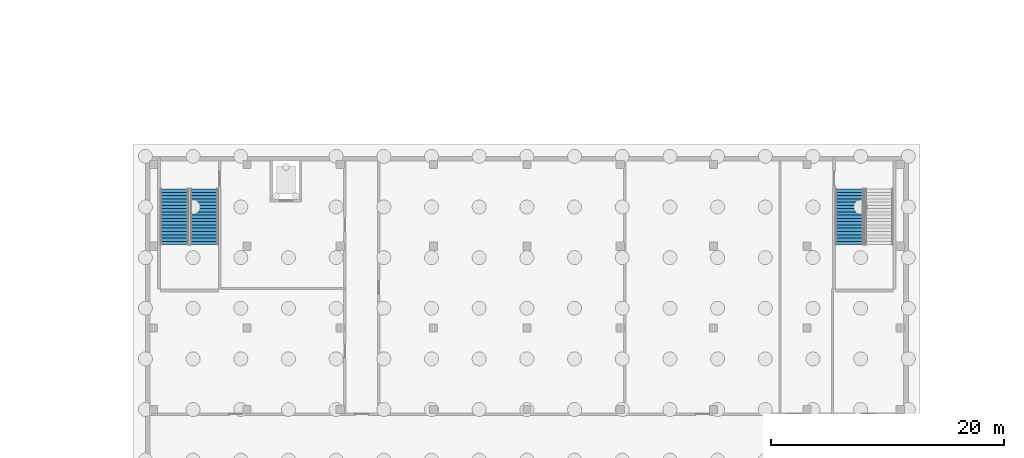
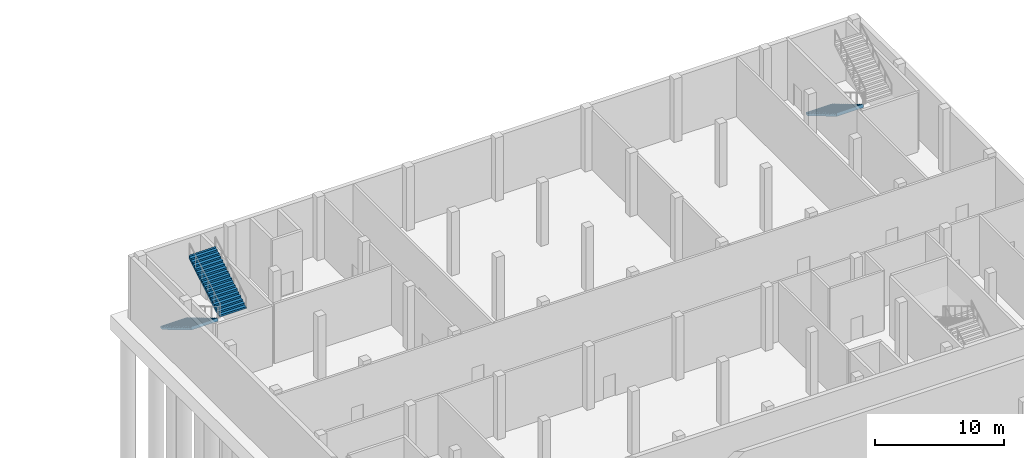
# One storey, part 27 of 45: 3 stair flights, 2 elements without a shape of their own.
"""IFC4 building model written with IfcOpenShell, lengths in metres."""

from ifc_helpers import new_model, si_unit, direction, frame, origin, place, context, subcontext, project, spatial, polyline, outline, extrude, material, type_object, element, aggregate, save


model = new_model("IFC4")

# Units and contexts
model_context = context("Model", 3, precision=1e-05, world=origin(), true_north=direction((0.0, 1.0)))
body_context = subcontext(model_context, "Body", "Model", "MODEL_VIEW")
ifc_project = project(units=[si_unit("LENGTHUNIT", "METRE"), si_unit("AREAUNIT", "SQUARE_METRE"), si_unit("VOLUMEUNIT", "CUBIC_METRE"), si_unit("PLANEANGLEUNIT", "RADIAN"), si_unit("MASSUNIT", "GRAM", prefix="KILO")], contexts=[model_context])

# Site, building, storey
site_placement = place(None, origin())
site = spatial("IfcSite", under=ifc_project, at=site_placement, CompositionType="ELEMENT")
building_placement = place(site_placement, origin())
building = spatial("IfcBuilding", under=site, at=building_placement, Name="Tamorin Gate", CompositionType="ELEMENT")
storey_placement = place(building_placement, frame((0.0, 0.0, -6.0)))
storey = spatial("IfcBuildingStorey", under=building, at=storey_placement, Name="B1", CompositionType="ELEMENT", Elevation=-6.0)

# Stair, stair flights
ifc_material = material(Name="Concrete C40/50", Category="concrete")
stair_type = type_object("IfcStairType", Name="Museum exit stair 2400 C40/50", PredefinedType="HALF_TURN_STAIR", material=ifc_material)
stair_1_placement = place(storey_placement, origin())
stair_1 = element("IfcStair", 1, at=stair_1_placement, inside=storey, type_object=stair_type, Name="B1 PS6", PredefinedType="HALF_TURN_STAIR")
stair_flight_type = type_object("IfcStairFlightType", Name="Museum exit stair flight 2400 C40/50", PredefinedType="STRAIGHT", material=ifc_material)
stair_flight_1_placement = place(storey_placement, frame((147.5, 95.60009765625, 0.0), z_axis=(0.0, 0.0, 1.0), x_axis=(0.0, -1.0, 0.0)))
stair_flight_1 = element("IfcStairFlight", 2, at=stair_flight_1_placement, type_object=stair_flight_type, Name="PS6 flight 1", NumberOfRisers=18, NumberOfTreads=17, PredefinedType="STRAIGHT", RiserHeight=0.166666667, TreadLength=0.28, context=body_context, shape_type="SweptSolid", body=[
    extrude(outline(polyline([(-0.00048828125, 0.0), (-0.00048828125, 0.001708984375), (-0.00048828125, 0.00341796875), (-0.00048828125, 0.0048828125), (-0.00048828125, 0.006591796875), (-0.00048828125, 0.00830078125), (-0.00048828125, 0.010009765625), (-0.00048828125, 0.011474609375), (-0.00048828125, 0.01318359375), (-0.00048828125, 0.014892578125), (-0.00048828125, 0.0166015625), (-0.00048828125, 0.01806640625), (-0.00048828125, 0.019775390625), (-0.00048828125, 0.021484375), (-0.00048828125, 0.023193359375), (-0.00048828125, 0.024658203125), (-0.00048828125, 0.0263671875), (-0.00048828125, 0.028076171875), (-0.00048828125, 0.02978515625), (-0.00048828125, 0.03125), (-0.00048828125, 0.032958984375), (-0.00048828125, 0.03466796875), (-0.00048828125, 0.036376953125), (-0.00048828125, 0.037841796875), (-0.00048828125, 0.03955078125), (-0.00048828125, 0.041259765625), (-0.00048828125, 0.04296875), (-0.00048828125, 0.04443359375), (-0.00048828125, 0.046142578125), (-0.00048828125, 0.0478515625), (-0.00048828125, 0.049560546875), (-0.00048828125, 0.05126953125), (-0.00048828125, 0.052734375), (-0.00048828125, 0.054443359375), (-0.00048828125, 0.05615234375), (-0.00048828125, 0.057861328125), (-0.00048828125, 0.059326171875), (-0.00048828125, 0.06103515625), (-0.00048828125, 0.062744140625), (-0.00048828125, 0.064453125), (-0.00048828125, 0.06591796875), (-0.00048828125, 0.067626953125), (-0.00048828125, 0.0693359375), (-0.00048828125, 0.071044921875), (-0.00048828125, 0.072509765625), (-0.00048828125, 0.07421875), (-0.00048828125, 0.075927734375), (-0.00048828125, 0.07763671875), (-0.00048828125, 0.0791015625), (-0.00048828125, 0.080810546875), (-0.00048828125, 0.08251953125), (-0.00048828125, 0.084228515625), (-0.00048828125, 0.085693359375), (-0.00048828125, 0.08740234375), (-0.00048828125, 0.089111328125), (-0.00048828125, 0.0908203125), (-0.00048828125, 0.092529296875), (-0.00048828125, 0.093994140625), (-0.00048828125, 0.095703125), (-0.00048828125, 0.097412109375), (-0.00048828125, 0.09912109375), (-0.00048828125, 0.1005859375), (-0.00048828125, 0.102294921875), (-0.00048828125, 0.10400390625), (-0.00048828125, 0.105712890625), (-0.00048828125, 0.107177734375), (-0.00048828125, 0.10888671875), (-0.00048828125, 0.110595703125), (-0.00048828125, 0.1123046875), (-0.00048828125, 0.11376953125), (-0.00048828125, 0.115478515625), (-0.00048828125, 0.1171875), (-0.00048828125, 0.118896484375), (-0.00048828125, 0.120361328125), (-0.00048828125, 0.1220703125), (-0.00048828125, 0.123779296875), (-0.00048828125, 0.12548828125), (-0.00048828125, 0.126953125), (-0.00048828125, 0.128662109375), (-0.00048828125, 0.13037109375), (-0.00048828125, 0.132080078125), (-0.00048828125, 0.133544921875), (-0.00048828125, 0.13525390625), (-0.00048828125, 0.136962890625), (-0.00048828125, 0.138671875), (-0.00048828125, 0.140380859375), (-0.00048828125, 0.141845703125), (-0.00048828125, 0.1435546875), (-0.00048828125, 0.145263671875), (-0.00048828125, 0.14697265625), (-0.00048828125, 0.1484375), (-0.00048828125, 0.150146484375), (-0.00048828125, 0.15185546875), (-0.00048828125, 0.153564453125), (-0.00048828125, 0.155029296875), (-0.00048828125, 0.15673828125), (-0.00048828125, 0.158447265625), (-0.00048828125, 0.16015625), (-0.00048828125, 0.16162109375), (-0.00048828125, 0.163330078125), (-0.00048828125, 0.1650390625), (-0.00048828125, 0.166748046875), (0.280029296875, 0.166748046875), (0.280029296875, 0.333251953125), (0.56005859375, 0.333251953125), (0.56005859375, 0.5), (0.840087890625, 0.5), (0.840087890625, 0.666748046875), (1.1201171875, 0.666748046875), (1.1201171875, 0.833251953125), (1.39990234375, 0.833251953125), (1.39990234375, 1.0), (1.679931640625, 1.0), (1.679931640625, 1.166748046875), (1.9599609375, 1.166748046875), (1.9599609375, 1.333251953125), (2.239990234375, 1.333251953125), (2.239990234375, 1.5), (2.52001953125, 1.5), (2.52001953125, 1.666748046875), (2.800048828125, 1.666748046875), (2.800048828125, 1.833251953125), (3.080078125, 1.833251953125), (3.080078125, 2.0), (3.360107421875, 2.0), (3.360107421875, 2.166748046875), (3.639892578125, 2.166748046875), (3.639892578125, 2.333251953125), (3.919921875, 2.333251953125), (3.919921875, 2.5), (4.199951171875, 2.5), (4.199951171875, 2.666748046875), (4.47998046875, 2.666748046875), (4.47998046875, 2.833251953125), (4.760009765625, 2.833251953125), (4.760009765625, 3.0), (4.760498046875, 3.0), (4.760498046875, 2.99658203125), (4.760498046875, 2.9931640625), (4.760498046875, 2.98974609375), (4.760498046875, 2.986572265625), (4.760498046875, 2.983154296875), (4.760498046875, 2.979736328125), (4.760498046875, 2.976318359375), (4.760498046875, 2.972900390625), (4.760498046875, 2.969482421875), (4.760498046875, 2.96630859375), (4.760498046875, 2.962890625), (4.760498046875, 2.95947265625), (4.760498046875, 2.9560546875), (4.760498046875, 2.95263671875), (4.760498046875, 2.94921875), (4.760498046875, 2.946044921875), (4.760498046875, 2.942626953125), (4.760498046875, 2.939208984375), (4.760498046875, 2.935791015625), (4.760498046875, 2.932373046875), (4.760498046875, 2.928955078125), (4.760498046875, 2.92578125), (4.760498046875, 2.92236328125), (4.760498046875, 2.9189453125), (4.760498046875, 2.91552734375), (4.760498046875, 2.912109375), (4.760498046875, 2.90869140625), (4.760498046875, 2.905517578125), (4.760498046875, 2.902099609375), (4.760498046875, 2.898681640625), (4.760498046875, 2.895263671875), (4.760498046875, 2.891845703125), (4.760498046875, 2.888427734375), (4.760498046875, 2.88525390625), (4.760498046875, 2.8818359375), (4.760498046875, 2.87841796875), (4.760498046875, 2.875), (4.760498046875, 2.87158203125), (4.760498046875, 2.8681640625), (4.760498046875, 2.864990234375), (4.760498046875, 2.861572265625), (4.760498046875, 2.858154296875), (4.760498046875, 2.854736328125), (4.760498046875, 2.851318359375), (4.760498046875, 2.847900390625), (4.760498046875, 2.8447265625), (4.760498046875, 2.84130859375), (4.760498046875, 2.837890625), (4.760498046875, 2.83447265625), (4.760498046875, 2.8310546875), (4.760498046875, 2.82763671875), (4.760498046875, 2.824462890625), (4.760498046875, 2.821044921875), (4.760498046875, 2.817626953125), (4.760498046875, 2.814208984375), (4.760498046875, 2.810791015625), (4.760498046875, 2.807373046875), (4.760498046875, 2.80419921875), (4.760498046875, 2.80078125), (4.760498046875, 2.79736328125), (4.760498046875, 2.7939453125), (4.760498046875, 2.79052734375), (4.760498046875, 2.787109375), (4.760498046875, 2.783935546875), (4.760498046875, 2.780517578125), (4.760498046875, 2.777099609375), (4.760498046875, 2.773681640625), (4.760498046875, 2.770263671875), (4.760498046875, 2.766845703125), (4.760498046875, 2.763671875), (4.760498046875, 2.76025390625), (4.760498046875, 2.7568359375), (4.760498046875, 2.75341796875), (4.760498046875, 2.75), (4.760498046875, 2.74658203125), (4.760498046875, 2.743408203125), (4.760498046875, 2.739990234375), (4.760498046875, 2.736572265625), (4.760498046875, 2.733154296875), (4.760498046875, 2.729736328125), (4.760498046875, 2.726318359375), (4.760498046875, 2.72314453125), (4.760498046875, 2.7197265625), (4.760498046875, 2.71630859375), (4.760498046875, 2.712890625), (4.760498046875, 2.70947265625), (4.760498046875, 2.7060546875), (4.760498046875, 2.702880859375), (4.760498046875, 2.699462890625), (4.760498046875, 2.696044921875), (4.760498046875, 2.692626953125), (4.760498046875, 2.689208984375), (4.760498046875, 2.685791015625), (4.760498046875, 2.6826171875), (4.760498046875, 2.67919921875), (4.760498046875, 2.67578125), (4.760498046875, 2.67236328125), (4.760498046875, 2.6689453125), (4.760498046875, 2.66552734375), (4.760498046875, 2.662353515625), (4.760498046875, 2.658935546875), (4.760009765625, 2.658935546875), (0.29296875, 0.0), (-0.00048828125, 0.0)])), frame((0.0, 1.199951171875, 0.0), z_axis=(0.0, -1.0, 0.0), x_axis=(1.0, 0.0, 0.0)), (0.0, 0.0, 1.0), 2.39990234375),
])
stair_flight_2_placement = place(storey_placement, frame((150.050048828125, 90.840087890625, 3.0), z_axis=(0.0, 0.0, 1.0), x_axis=(0.0, 1.0, 0.0)))
stair_flight_2 = element("IfcStairFlight", 3, at=stair_flight_2_placement, type_object=stair_flight_type, Name="PS6 flight 2", NumberOfRisers=18, NumberOfTreads=17, PredefinedType="STRAIGHT", RiserHeight=0.166666667, TreadLength=0.28, context=body_context, shape_type="SweptSolid", body=[
    extrude(outline(polyline([(-0.00048828125, 0.0), (-0.00048828125, 0.001708984375), (-0.00048828125, 0.00341796875), (-0.00048828125, 0.0048828125), (-0.00048828125, 0.006591796875), (-0.00048828125, 0.00830078125), (-0.00048828125, 0.010009765625), (-0.00048828125, 0.011474609375), (-0.00048828125, 0.01318359375), (-0.00048828125, 0.014892578125), (-0.00048828125, 0.0166015625), (-0.00048828125, 0.01806640625), (-0.00048828125, 0.019775390625), (-0.00048828125, 0.021484375), (-0.00048828125, 0.023193359375), (-0.00048828125, 0.024658203125), (-0.00048828125, 0.0263671875), (-0.00048828125, 0.028076171875), (-0.00048828125, 0.02978515625), (-0.00048828125, 0.03125), (-0.00048828125, 0.032958984375), (-0.00048828125, 0.03466796875), (-0.00048828125, 0.036376953125), (-0.00048828125, 0.037841796875), (-0.00048828125, 0.03955078125), (-0.00048828125, 0.041259765625), (-0.00048828125, 0.04296875), (-0.00048828125, 0.04443359375), (-0.00048828125, 0.046142578125), (-0.00048828125, 0.0478515625), (-0.00048828125, 0.049560546875), (-0.00048828125, 0.05126953125), (-0.00048828125, 0.052734375), (-0.00048828125, 0.054443359375), (-0.00048828125, 0.05615234375), (-0.00048828125, 0.057861328125), (-0.00048828125, 0.059326171875), (-0.00048828125, 0.06103515625), (-0.00048828125, 0.062744140625), (-0.00048828125, 0.064453125), (-0.00048828125, 0.06591796875), (-0.00048828125, 0.067626953125), (-0.00048828125, 0.0693359375), (-0.00048828125, 0.071044921875), (-0.00048828125, 0.072509765625), (-0.00048828125, 0.07421875), (-0.00048828125, 0.075927734375), (-0.00048828125, 0.07763671875), (-0.00048828125, 0.0791015625), (-0.00048828125, 0.080810546875), (-0.00048828125, 0.08251953125), (-0.00048828125, 0.084228515625), (-0.00048828125, 0.085693359375), (-0.00048828125, 0.08740234375), (-0.00048828125, 0.089111328125), (-0.00048828125, 0.0908203125), (-0.00048828125, 0.092529296875), (-0.00048828125, 0.093994140625), (-0.00048828125, 0.095703125), (-0.00048828125, 0.097412109375), (-0.00048828125, 0.09912109375), (-0.00048828125, 0.1005859375), (-0.00048828125, 0.102294921875), (-0.00048828125, 0.10400390625), (-0.00048828125, 0.105712890625), (-0.00048828125, 0.107177734375), (-0.00048828125, 0.10888671875), (-0.00048828125, 0.110595703125), (-0.00048828125, 0.1123046875), (-0.00048828125, 0.11376953125), (-0.00048828125, 0.115478515625), (-0.00048828125, 0.1171875), (-0.00048828125, 0.118896484375), (-0.00048828125, 0.120361328125), (-0.00048828125, 0.1220703125), (-0.00048828125, 0.123779296875), (-0.00048828125, 0.12548828125), (-0.00048828125, 0.126953125), (-0.00048828125, 0.128662109375), (-0.00048828125, 0.13037109375), (-0.00048828125, 0.132080078125), (-0.00048828125, 0.133544921875), (-0.00048828125, 0.13525390625), (-0.00048828125, 0.136962890625), (-0.00048828125, 0.138671875), (-0.00048828125, 0.140380859375), (-0.00048828125, 0.141845703125), (-0.00048828125, 0.1435546875), (-0.00048828125, 0.145263671875), (-0.00048828125, 0.14697265625), (-0.00048828125, 0.1484375), (-0.00048828125, 0.150146484375), (-0.00048828125, 0.15185546875), (-0.00048828125, 0.153564453125), (-0.00048828125, 0.155029296875), (-0.00048828125, 0.15673828125), (-0.00048828125, 0.158447265625), (-0.00048828125, 0.16015625), (-0.00048828125, 0.16162109375), (-0.00048828125, 0.163330078125), (-0.00048828125, 0.1650390625), (-0.00048828125, 0.166748046875), (0.280029296875, 0.166748046875), (0.280029296875, 0.333251953125), (0.56005859375, 0.333251953125), (0.56005859375, 0.5), (0.840087890625, 0.5), (0.840087890625, 0.666748046875), (1.1201171875, 0.666748046875), (1.1201171875, 0.833251953125), (1.39990234375, 0.833251953125), (1.39990234375, 1.0), (1.679931640625, 1.0), (1.679931640625, 1.166748046875), (1.9599609375, 1.166748046875), (1.9599609375, 1.333251953125), (2.239990234375, 1.333251953125), (2.239990234375, 1.5), (2.52001953125, 1.5), (2.52001953125, 1.666748046875), (2.800048828125, 1.666748046875), (2.800048828125, 1.833251953125), (3.080078125, 1.833251953125), (3.080078125, 2.0), (3.360107421875, 2.0), (3.360107421875, 2.166748046875), (3.639892578125, 2.166748046875), (3.639892578125, 2.333251953125), (3.919921875, 2.333251953125), (3.919921875, 2.5), (4.199951171875, 2.5), (4.199951171875, 2.666748046875), (4.47998046875, 2.666748046875), (4.47998046875, 2.833251953125), (4.760009765625, 2.833251953125), (4.760009765625, 3.0), (4.760498046875, 3.0), (4.760498046875, 2.99658203125), (4.760498046875, 2.9931640625), (4.760498046875, 2.98974609375), (4.760498046875, 2.986572265625), (4.760498046875, 2.983154296875), (4.760498046875, 2.979736328125), (4.760498046875, 2.976318359375), (4.760498046875, 2.972900390625), (4.760498046875, 2.969482421875), (4.760498046875, 2.96630859375), (4.760498046875, 2.962890625), (4.760498046875, 2.95947265625), (4.760498046875, 2.9560546875), (4.760498046875, 2.95263671875), (4.760498046875, 2.94921875), (4.760498046875, 2.946044921875), (4.760498046875, 2.942626953125), (4.760498046875, 2.939208984375), (4.760498046875, 2.935791015625), (4.760498046875, 2.932373046875), (4.760498046875, 2.928955078125), (4.760498046875, 2.92578125), (4.760498046875, 2.92236328125), (4.760498046875, 2.9189453125), (4.760498046875, 2.91552734375), (4.760498046875, 2.912109375), (4.760498046875, 2.90869140625), (4.760498046875, 2.905517578125), (4.760498046875, 2.902099609375), (4.760498046875, 2.898681640625), (4.760498046875, 2.895263671875), (4.760498046875, 2.891845703125), (4.760498046875, 2.888427734375), (4.760498046875, 2.88525390625), (4.760498046875, 2.8818359375), (4.760498046875, 2.87841796875), (4.760498046875, 2.875), (4.760498046875, 2.87158203125), (4.760498046875, 2.8681640625), (4.760498046875, 2.864990234375), (4.760498046875, 2.861572265625), (4.760498046875, 2.858154296875), (4.760498046875, 2.854736328125), (4.760498046875, 2.851318359375), (4.760498046875, 2.847900390625), (4.760498046875, 2.8447265625), (4.760498046875, 2.84130859375), (4.760498046875, 2.837890625), (4.760498046875, 2.83447265625), (4.760498046875, 2.8310546875), (4.760498046875, 2.82763671875), (4.760498046875, 2.824462890625), (4.760498046875, 2.821044921875), (4.760498046875, 2.817626953125), (4.760498046875, 2.814208984375), (4.760498046875, 2.810791015625), (4.760498046875, 2.807373046875), (4.760498046875, 2.80419921875), (4.760498046875, 2.80078125), (4.760498046875, 2.79736328125), (4.760498046875, 2.7939453125), (4.760498046875, 2.79052734375), (4.760498046875, 2.787109375), (4.760498046875, 2.783935546875), (4.760498046875, 2.780517578125), (4.760498046875, 2.777099609375), (4.760498046875, 2.773681640625), (4.760498046875, 2.770263671875), (4.760498046875, 2.766845703125), (4.760498046875, 2.763671875), (4.760498046875, 2.76025390625), (4.760498046875, 2.7568359375), (4.760498046875, 2.75341796875), (4.760498046875, 2.75), (4.760498046875, 2.74658203125), (4.760498046875, 2.743408203125), (4.760498046875, 2.739990234375), (4.760498046875, 2.736572265625), (4.760498046875, 2.733154296875), (4.760498046875, 2.729736328125), (4.760498046875, 2.726318359375), (4.760498046875, 2.72314453125), (4.760498046875, 2.7197265625), (4.760498046875, 2.71630859375), (4.760498046875, 2.712890625), (4.760498046875, 2.70947265625), (4.760498046875, 2.7060546875), (4.760498046875, 2.702880859375), (4.760498046875, 2.699462890625), (4.760498046875, 2.696044921875), (4.760498046875, 2.692626953125), (4.760498046875, 2.689208984375), (4.760498046875, 2.685791015625), (4.760498046875, 2.6826171875), (4.760498046875, 2.67919921875), (4.760498046875, 2.67578125), (4.760498046875, 2.67236328125), (4.760498046875, 2.6689453125), (4.760498046875, 2.66552734375), (4.760498046875, 2.662353515625), (4.760498046875, 2.658935546875), (4.760009765625, 2.658935546875), (0.29296875, 0.0), (-0.00048828125, 0.0)])), frame((0.0, 1.199951171875, 0.0), z_axis=(0.0, -1.0, 0.0), x_axis=(1.0, 0.0, 0.0)), (0.0, 0.0, 1.0), 2.39990234375),
])
aggregate(stair_1, [stair_flight_1, stair_flight_2])

# Stair, stair flight
stair_2_placement = place(storey_placement, origin())
stair_2 = element("IfcStair", 4, at=stair_2_placement, inside=storey, type_object=stair_type, Name="B1 PS9", PredefinedType="HALF_TURN_STAIR")
stair_flight_3_placement = place(storey_placement, frame((205.35009765625, 95.60009765625, 0.0), z_axis=(0.0, 0.0, 1.0), x_axis=(0.0, -1.0, 0.0)))
stair_flight_3 = element("IfcStairFlight", 5, at=stair_flight_3_placement, type_object=stair_flight_type, Name="PS9 flight 1", NumberOfRisers=18, NumberOfTreads=17, PredefinedType="STRAIGHT", RiserHeight=0.166666667, TreadLength=0.28, context=body_context, shape_type="SweptSolid", body=[
    extrude(outline(polyline([(-0.00048828125, 0.0), (-0.00048828125, 0.001708984375), (-0.00048828125, 0.00341796875), (-0.00048828125, 0.0048828125), (-0.00048828125, 0.006591796875), (-0.00048828125, 0.00830078125), (-0.00048828125, 0.010009765625), (-0.00048828125, 0.011474609375), (-0.00048828125, 0.01318359375), (-0.00048828125, 0.014892578125), (-0.00048828125, 0.0166015625), (-0.00048828125, 0.01806640625), (-0.00048828125, 0.019775390625), (-0.00048828125, 0.021484375), (-0.00048828125, 0.023193359375), (-0.00048828125, 0.024658203125), (-0.00048828125, 0.0263671875), (-0.00048828125, 0.028076171875), (-0.00048828125, 0.02978515625), (-0.00048828125, 0.03125), (-0.00048828125, 0.032958984375), (-0.00048828125, 0.03466796875), (-0.00048828125, 0.036376953125), (-0.00048828125, 0.037841796875), (-0.00048828125, 0.03955078125), (-0.00048828125, 0.041259765625), (-0.00048828125, 0.04296875), (-0.00048828125, 0.04443359375), (-0.00048828125, 0.046142578125), (-0.00048828125, 0.0478515625), (-0.00048828125, 0.049560546875), (-0.00048828125, 0.05126953125), (-0.00048828125, 0.052734375), (-0.00048828125, 0.054443359375), (-0.00048828125, 0.05615234375), (-0.00048828125, 0.057861328125), (-0.00048828125, 0.059326171875), (-0.00048828125, 0.06103515625), (-0.00048828125, 0.062744140625), (-0.00048828125, 0.064453125), (-0.00048828125, 0.06591796875), (-0.00048828125, 0.067626953125), (-0.00048828125, 0.0693359375), (-0.00048828125, 0.071044921875), (-0.00048828125, 0.072509765625), (-0.00048828125, 0.07421875), (-0.00048828125, 0.075927734375), (-0.00048828125, 0.07763671875), (-0.00048828125, 0.0791015625), (-0.00048828125, 0.080810546875), (-0.00048828125, 0.08251953125), (-0.00048828125, 0.084228515625), (-0.00048828125, 0.085693359375), (-0.00048828125, 0.08740234375), (-0.00048828125, 0.089111328125), (-0.00048828125, 0.0908203125), (-0.00048828125, 0.092529296875), (-0.00048828125, 0.093994140625), (-0.00048828125, 0.095703125), (-0.00048828125, 0.097412109375), (-0.00048828125, 0.09912109375), (-0.00048828125, 0.1005859375), (-0.00048828125, 0.102294921875), (-0.00048828125, 0.10400390625), (-0.00048828125, 0.105712890625), (-0.00048828125, 0.107177734375), (-0.00048828125, 0.10888671875), (-0.00048828125, 0.110595703125), (-0.00048828125, 0.1123046875), (-0.00048828125, 0.11376953125), (-0.00048828125, 0.115478515625), (-0.00048828125, 0.1171875), (-0.00048828125, 0.118896484375), (-0.00048828125, 0.120361328125), (-0.00048828125, 0.1220703125), (-0.00048828125, 0.123779296875), (-0.00048828125, 0.12548828125), (-0.00048828125, 0.126953125), (-0.00048828125, 0.128662109375), (-0.00048828125, 0.13037109375), (-0.00048828125, 0.132080078125), (-0.00048828125, 0.133544921875), (-0.00048828125, 0.13525390625), (-0.00048828125, 0.136962890625), (-0.00048828125, 0.138671875), (-0.00048828125, 0.140380859375), (-0.00048828125, 0.141845703125), (-0.00048828125, 0.1435546875), (-0.00048828125, 0.145263671875), (-0.00048828125, 0.14697265625), (-0.00048828125, 0.1484375), (-0.00048828125, 0.150146484375), (-0.00048828125, 0.15185546875), (-0.00048828125, 0.153564453125), (-0.00048828125, 0.155029296875), (-0.00048828125, 0.15673828125), (-0.00048828125, 0.158447265625), (-0.00048828125, 0.16015625), (-0.00048828125, 0.16162109375), (-0.00048828125, 0.163330078125), (-0.00048828125, 0.1650390625), (-0.00048828125, 0.166748046875), (0.280029296875, 0.166748046875), (0.280029296875, 0.333251953125), (0.56005859375, 0.333251953125), (0.56005859375, 0.5), (0.840087890625, 0.5), (0.840087890625, 0.666748046875), (1.1201171875, 0.666748046875), (1.1201171875, 0.833251953125), (1.39990234375, 0.833251953125), (1.39990234375, 1.0), (1.679931640625, 1.0), (1.679931640625, 1.166748046875), (1.9599609375, 1.166748046875), (1.9599609375, 1.333251953125), (2.239990234375, 1.333251953125), (2.239990234375, 1.5), (2.52001953125, 1.5), (2.52001953125, 1.666748046875), (2.800048828125, 1.666748046875), (2.800048828125, 1.833251953125), (3.080078125, 1.833251953125), (3.080078125, 2.0), (3.360107421875, 2.0), (3.360107421875, 2.166748046875), (3.639892578125, 2.166748046875), (3.639892578125, 2.333251953125), (3.919921875, 2.333251953125), (3.919921875, 2.5), (4.199951171875, 2.5), (4.199951171875, 2.666748046875), (4.47998046875, 2.666748046875), (4.47998046875, 2.833251953125), (4.760009765625, 2.833251953125), (4.760009765625, 3.0), (4.760498046875, 3.0), (4.760498046875, 2.99658203125), (4.760498046875, 2.9931640625), (4.760498046875, 2.98974609375), (4.760498046875, 2.986572265625), (4.760498046875, 2.983154296875), (4.760498046875, 2.979736328125), (4.760498046875, 2.976318359375), (4.760498046875, 2.972900390625), (4.760498046875, 2.969482421875), (4.760498046875, 2.96630859375), (4.760498046875, 2.962890625), (4.760498046875, 2.95947265625), (4.760498046875, 2.9560546875), (4.760498046875, 2.95263671875), (4.760498046875, 2.94921875), (4.760498046875, 2.946044921875), (4.760498046875, 2.942626953125), (4.760498046875, 2.939208984375), (4.760498046875, 2.935791015625), (4.760498046875, 2.932373046875), (4.760498046875, 2.928955078125), (4.760498046875, 2.92578125), (4.760498046875, 2.92236328125), (4.760498046875, 2.9189453125), (4.760498046875, 2.91552734375), (4.760498046875, 2.912109375), (4.760498046875, 2.90869140625), (4.760498046875, 2.905517578125), (4.760498046875, 2.902099609375), (4.760498046875, 2.898681640625), (4.760498046875, 2.895263671875), (4.760498046875, 2.891845703125), (4.760498046875, 2.888427734375), (4.760498046875, 2.88525390625), (4.760498046875, 2.8818359375), (4.760498046875, 2.87841796875), (4.760498046875, 2.875), (4.760498046875, 2.87158203125), (4.760498046875, 2.8681640625), (4.760498046875, 2.864990234375), (4.760498046875, 2.861572265625), (4.760498046875, 2.858154296875), (4.760498046875, 2.854736328125), (4.760498046875, 2.851318359375), (4.760498046875, 2.847900390625), (4.760498046875, 2.8447265625), (4.760498046875, 2.84130859375), (4.760498046875, 2.837890625), (4.760498046875, 2.83447265625), (4.760498046875, 2.8310546875), (4.760498046875, 2.82763671875), (4.760498046875, 2.824462890625), (4.760498046875, 2.821044921875), (4.760498046875, 2.817626953125), (4.760498046875, 2.814208984375), (4.760498046875, 2.810791015625), (4.760498046875, 2.807373046875), (4.760498046875, 2.80419921875), (4.760498046875, 2.80078125), (4.760498046875, 2.79736328125), (4.760498046875, 2.7939453125), (4.760498046875, 2.79052734375), (4.760498046875, 2.787109375), (4.760498046875, 2.783935546875), (4.760498046875, 2.780517578125), (4.760498046875, 2.777099609375), (4.760498046875, 2.773681640625), (4.760498046875, 2.770263671875), (4.760498046875, 2.766845703125), (4.760498046875, 2.763671875), (4.760498046875, 2.76025390625), (4.760498046875, 2.7568359375), (4.760498046875, 2.75341796875), (4.760498046875, 2.75), (4.760498046875, 2.74658203125), (4.760498046875, 2.743408203125), (4.760498046875, 2.739990234375), (4.760498046875, 2.736572265625), (4.760498046875, 2.733154296875), (4.760498046875, 2.729736328125), (4.760498046875, 2.726318359375), (4.760498046875, 2.72314453125), (4.760498046875, 2.7197265625), (4.760498046875, 2.71630859375), (4.760498046875, 2.712890625), (4.760498046875, 2.70947265625), (4.760498046875, 2.7060546875), (4.760498046875, 2.702880859375), (4.760498046875, 2.699462890625), (4.760498046875, 2.696044921875), (4.760498046875, 2.692626953125), (4.760498046875, 2.689208984375), (4.760498046875, 2.685791015625), (4.760498046875, 2.6826171875), (4.760498046875, 2.67919921875), (4.760498046875, 2.67578125), (4.760498046875, 2.67236328125), (4.760498046875, 2.6689453125), (4.760498046875, 2.66552734375), (4.760498046875, 2.662353515625), (4.760498046875, 2.658935546875), (4.760009765625, 2.658935546875), (0.29296875, 0.0), (-0.00048828125, 0.0)])), frame((0.0, 1.199951171875, 0.0), z_axis=(0.0, -1.0, 0.0), x_axis=(1.0, 0.0, 0.0)), (0.0, 0.0, 1.0), 2.39990234375),
])
aggregate(stair_2, [stair_flight_3])

save(model, "model.ifc")
